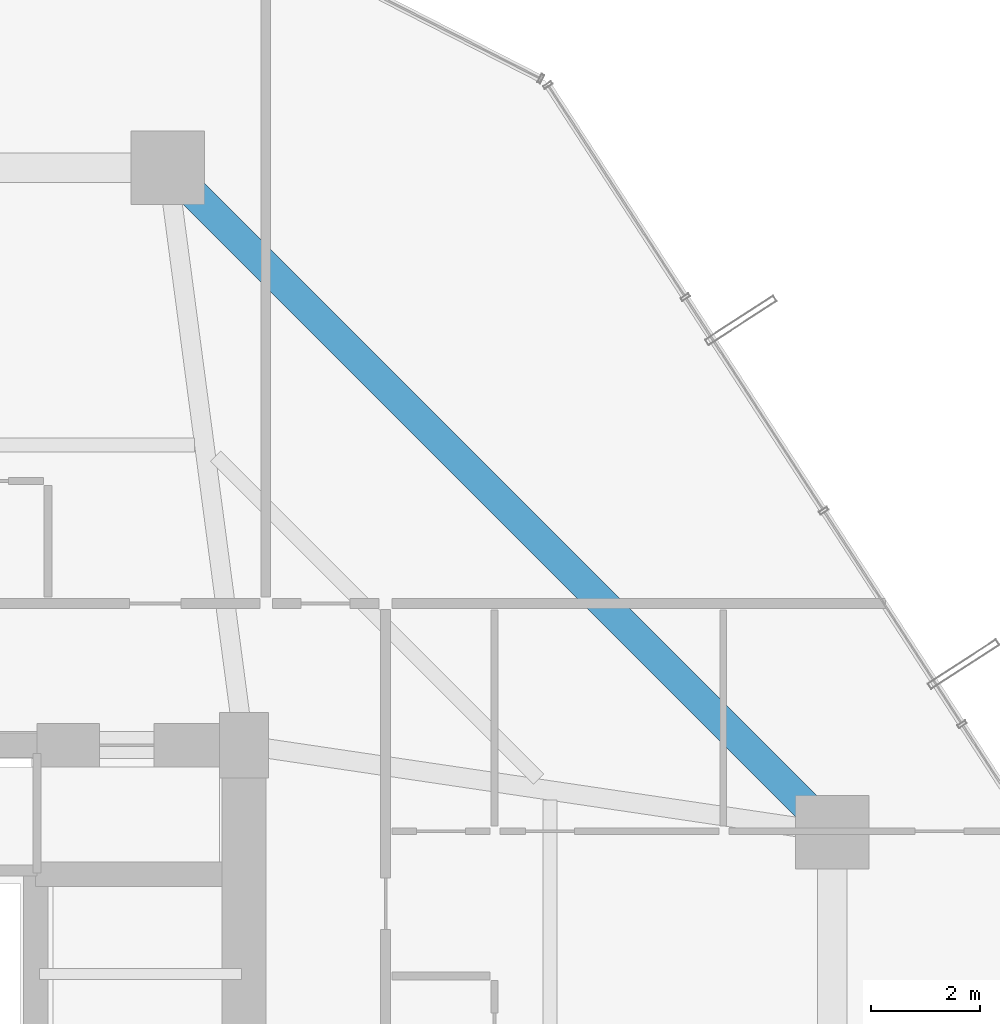
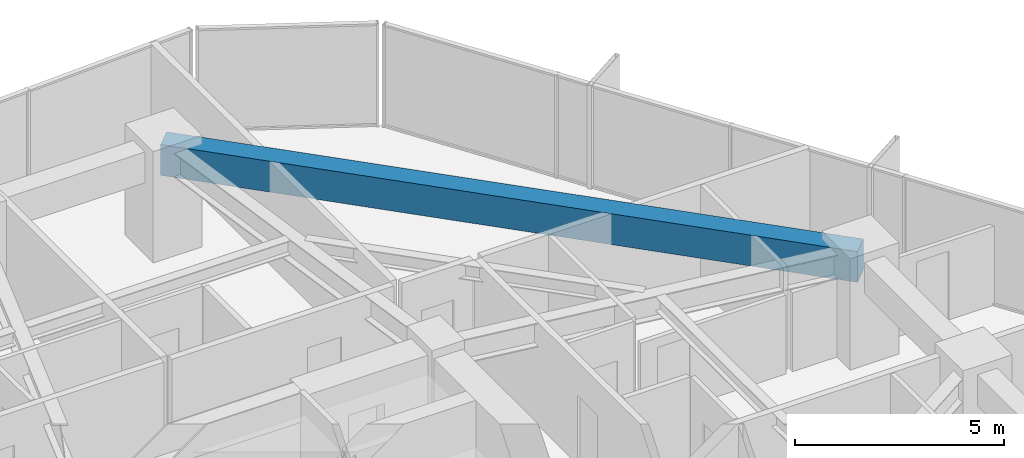
# One storey, part 28 of 37: 1 beam.
"""IFC4 building model written with IfcOpenShell, lengths in metres."""

from ifc_helpers import new_model, si_unit, direction, frame, origin, origin_2d, place, context, subcontext, project, spatial, rectangle, extrude, material, material_profile, profile_set, type_object, element, save


model = new_model("IFC4")

# Units and contexts
model_context = context("Model", 3, precision=1e-05, world=origin(), true_north=direction((0.0, 1.0)))
body_context = subcontext(model_context, "Body", "Model", "MODEL_VIEW")
ifc_project = project(units=[si_unit("LENGTHUNIT", "METRE"), si_unit("AREAUNIT", "SQUARE_METRE"), si_unit("VOLUMEUNIT", "CUBIC_METRE"), si_unit("PLANEANGLEUNIT", "RADIAN"), si_unit("MASSUNIT", "GRAM", prefix="KILO")], contexts=[model_context])

# Site, building, storey
site_placement = place(None, origin())
site = spatial("IfcSite", under=ifc_project, at=site_placement, CompositionType="ELEMENT")
building_placement = place(site_placement, origin())
building = spatial("IfcBuilding", under=site, at=building_placement, Name="Veraguas Prism Commons", CompositionType="ELEMENT")
storey_placement = place(building_placement, frame((0.0, 0.0, 33.800048828125)))
storey = spatial("IfcBuildingStorey", under=building, at=storey_placement, Name="L08", CompositionType="ELEMENT", Elevation=33.800048828125)

# Beam
ifc_material = material(Name="Concrete C50/60", Category="concrete")
ifc_material_profile = material_profile(ifc_material, rectangle(XDim=0.550048828125, YDim=0.89990234375, at=origin_2d()), Name="RC550X900")
ifc_profile_set = profile_set([ifc_material_profile], Name="Concrete C50/60")
beam_type = type_object("IfcBeamType", Name="Perimeter Spandrel Lower RC 550x900", PredefinedType="SPANDREL", material=ifc_profile_set)
beam_placement = place(storey_placement, frame((41.60009765625, 29.39990234375, 2.550048828125), z_axis=(-0.707106781187, 0.707106781187, 0.0), x_axis=(-0.707106781187, -0.707106781187, 0.0)))
element("IfcBeam", 1, at=beam_placement, inside=storey, type_object=beam_type, Name="Perimeter Spandrel Beam L08-SP03", PredefinedType="SPANDREL", context=body_context, shape_type="SweptSolid", body=[
    extrude(rectangle(XDim=0.550048828125, YDim=0.89990234375, at=origin_2d()), origin(), (0.0, 0.0, 1.0), 17.253662109375),
])

save(model, "model.ifc")
